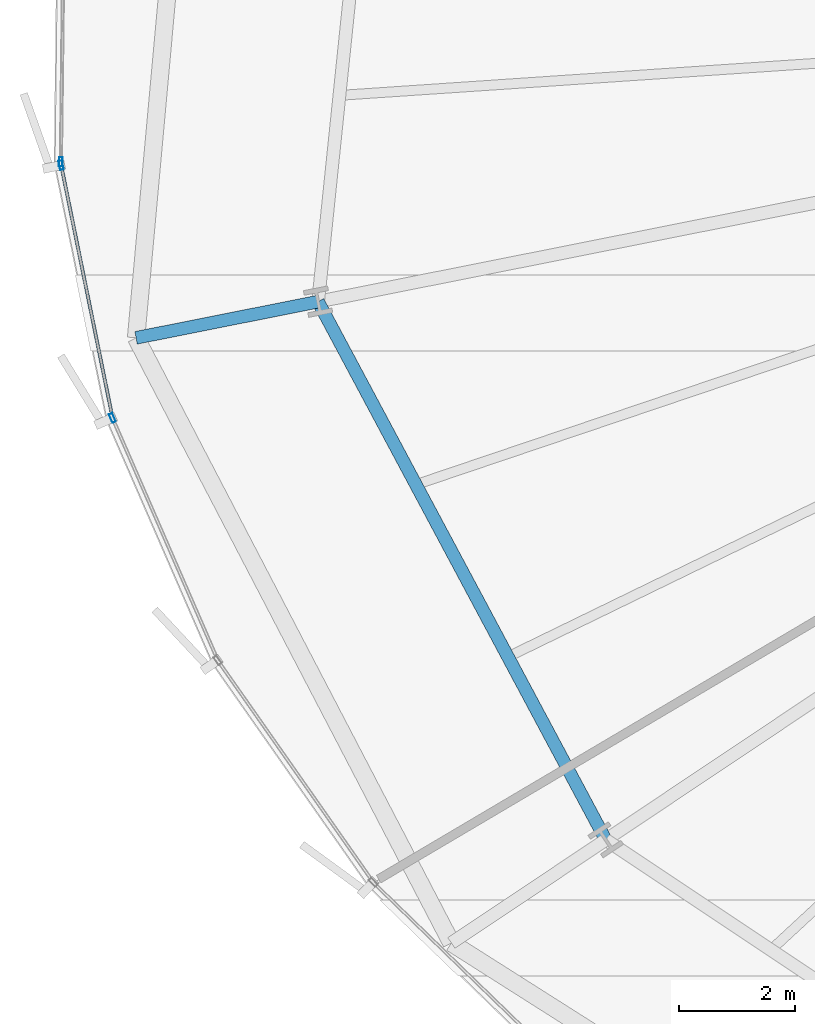
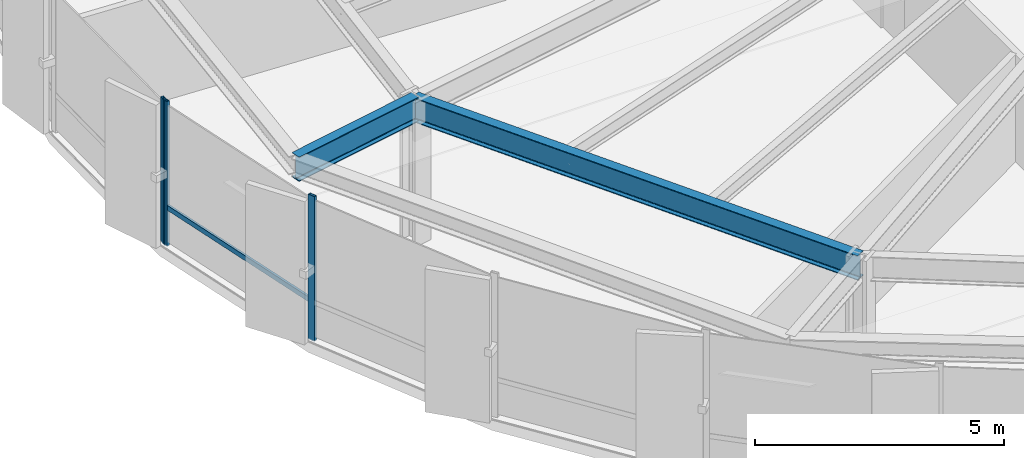
# One storey, part 7 of 38: 4 members, 2 beams, 2 elements without a shape of their own.
"""IFC4 building model written with IfcOpenShell, lengths in metres."""

from ifc_helpers import new_model, si_unit, direction, frame, origin, origin_2d, place, context, subcontext, project, spatial, hollow_rectangle, i_section, extrude, source, transform, mapped, material, layer, layer_set, material_profile, profile_set, type_object, element, aggregate, save


model = new_model("IFC4")

# Units and contexts
model_context = context("Model", 3, precision=1e-05, world=origin(), true_north=direction((0.0, 1.0)))
body_context = subcontext(model_context, "Body", "Model", "MODEL_VIEW")
ifc_project = project(units=[si_unit("LENGTHUNIT", "METRE"), si_unit("AREAUNIT", "SQUARE_METRE"), si_unit("VOLUMEUNIT", "CUBIC_METRE"), si_unit("PLANEANGLEUNIT", "RADIAN"), si_unit("MASSUNIT", "GRAM", prefix="KILO"), si_unit("THERMODYNAMICTEMPERATUREUNIT", "KELVIN")], contexts=[model_context])

# Site, building, storey
site_placement = place(None, origin())
site = spatial("IfcSite", under=ifc_project, at=site_placement, CompositionType="ELEMENT")
building_placement = place(site_placement, origin())
building = spatial("IfcBuilding", under=site, at=building_placement, Name="Kethvar Cultural Tower", CompositionType="ELEMENT")
storey_placement = place(building_placement, frame((0.0, 0.0, 52.39990234375)))
storey = spatial("IfcBuildingStorey", under=building, at=storey_placement, Name="L12", CompositionType="ELEMENT", Elevation=52.39990234375)

# Beams
ifc_material_1 = material(Name="Steel S355J2", Category="steel")
ifc_material_profile_1 = material_profile(ifc_material_1, i_section(OverallWidth=0.219970703125, OverallDepth=0.60009765625, WebThickness=0.011962890625, FlangeThickness=0.01904296875, FilletRadius=0.02392578125, at=origin_2d()), Name="Steel S355J2 — IPE600")
ifc_profile_set_1 = profile_set([ifc_material_profile_1], Name="Steel S355J2 — IPE600")
beam_type = type_object("IfcBeamType", Name="BM-IPE600", PredefinedType="BEAM", material=ifc_profile_set_1)
shared_shape_1 = source(origin(), body_context, "Body", "SweptSolid", [
    extrude(i_section(OverallWidth=0.219970703125, OverallDepth=0.60009765625, WebThickness=0.011962890625, FlangeThickness=0.01904296875, FilletRadius=0.02392578125, at=origin_2d()), origin(), (0.0, 0.0, 1.0), 3.199951171875),
])
beam_1_placement = place(storey_placement, frame((19.9658203125, 22.46240234375, 3.248046875), z_axis=(-0.980785550224, -0.195088965533, 0.0), x_axis=(0.195088965533, -0.980785550224, 0.0)))
element("IfcBeam", 1, at=beam_1_placement, inside=storey, type_object=beam_type, Name="L12 Perimeter Cantilever Beam RC-09", PredefinedType="BEAM", context=body_context, shape_type="MappedRepresentation", body=[
    mapped(shared_shape_1, transform((0.0, 0.0, 0.0), scale=1.0)),
])
shared_shape_2 = source(origin(), body_context, "Body", "SweptSolid", [
    extrude(i_section(OverallWidth=0.219970703125, OverallDepth=0.60009765625, WebThickness=0.011962890625, FlangeThickness=0.01904296875, FilletRadius=0.02392578125, at=origin_2d()), origin(), (0.0, 0.0, 1.0), 10.52099609375),
])
beam_2_placement = place(storey_placement, frame((19.9658203125, 22.46240234375, 3.248046875), z_axis=(0.471339616984, -0.881951793162, 0.0), x_axis=(0.881951793162, 0.471339616984, 0.0)))
element("IfcBeam", 2, at=beam_2_placement, inside=storey, type_object=beam_type, Name="L12 Column Ring Tie Beam CR-09", PredefinedType="BEAM", context=body_context, shape_type="MappedRepresentation", body=[
    mapped(shared_shape_2, transform((0.0, 0.0, 0.0), scale=1.0)),
])

# Curtain wall, member
ifc_material_2 = material(Name="Aluminium 6063-T6", Category="aluminium")
ifc_layer = layer(ifc_material_2, 0.179931640625, Name="Aluminium 6063-T6", Category="aluminium")
ifc_layer_set = layer_set([ifc_layer], Name="Aluminium 6063-T6 (180 mm)")
curtain_wall_type = type_object("IfcCurtainWallType", Name="CW-SYS-02-Z1", PredefinedType="NOTDEFINED", material=ifc_layer_set)
curtain_wall_1_placement = place(storey_placement, origin())
curtain_wall_1 = element("IfcCurtainWall", 3, at=curtain_wall_1_placement, inside=storey, type_object=curtain_wall_type, Name="L12 Curtain Wall Run 03", PredefinedType="NOTDEFINED")
ifc_material_profile_2 = material_profile(ifc_material_2, hollow_rectangle(XDim=0.06494140625, YDim=0.159912109375, WallThickness=0.0048828125, at=origin_2d()), Name="Aluminium 6063-T6 — RHS160x65x5")
ifc_profile_set_2 = profile_set([ifc_material_profile_2], Name="Aluminium 6063-T6 — RHS160x65x5")
member_type_1 = type_object("IfcMemberType", Name="CW-SYS-02-Z1-MUL", PredefinedType="MULLION", material=ifc_profile_set_2)
shared_shape_3 = source(origin(), body_context, "Body", "SweptSolid", [
    extrude(hollow_rectangle(XDim=0.06494140625, YDim=0.159912109375, WallThickness=0.0048828125, at=origin_2d()), origin(), (0.0, 0.0, 1.0), 3.550048828125),
])
member_1_placement = place(storey_placement, frame((15.530517578125, 24.87353515625, 0.0), z_axis=(0.0, 0.0, 1.0), x_axis=(0.999927065729, -0.012077384797, 0.0)))
member_1 = element("IfcMember", 4, at=member_1_placement, type_object=member_type_1, Name="CW-L12-R03 Mullion 7", PredefinedType="MULLION", context=body_context, shape_type="MappedRepresentation", body=[
    mapped(shared_shape_3, transform((0.0, 0.0, 0.0), scale=1.0)),
])
aggregate(curtain_wall_1, [member_1])

# Curtain wall, members
curtain_wall_2_placement = place(storey_placement, origin())
curtain_wall_2 = element("IfcCurtainWall", 5, at=curtain_wall_2_placement, inside=storey, type_object=curtain_wall_type, Name="L12 Curtain Wall Run 04", PredefinedType="NOTDEFINED")
member_2_placement = place(storey_placement, frame((15.5361328125, 24.815185546875, 0.0), z_axis=(0.0, 0.0, 1.0), x_axis=(0.979952532084, 0.199231109174, 0.0)))
member_2 = element("IfcMember", 6, at=member_2_placement, type_object=member_type_1, Name="CW-L12-R04 Mullion 1", PredefinedType="MULLION", context=body_context, shape_type="MappedRepresentation", body=[
    mapped(shared_shape_3, transform((0.0, 0.0, 0.0), scale=1.0)),
])
member_3_placement = place(storey_placement, frame((16.41943359375, 20.457275390625, 0.0), z_axis=(0.0, 0.0, 1.0), x_axis=(0.917060074385, 0.398749068925, 0.0)))
member_3 = element("IfcMember", 7, at=member_3_placement, type_object=member_type_1, Name="CW-L12-R04 Mullion 2", PredefinedType="MULLION", context=body_context, shape_type="MappedRepresentation", body=[
    mapped(shared_shape_3, transform((0.0, 0.0, 0.0), scale=1.0)),
])
ifc_material_profile_3 = material_profile(ifc_material_2, hollow_rectangle(XDim=0.054931640625, YDim=0.1201171875, WallThickness=0.00390625, at=origin_2d()), Name="Aluminium 6063-T6 — RHS120x55x4")
ifc_profile_set_3 = profile_set([ifc_material_profile_3], Name="Aluminium 6063-T6 — RHS120x55x4")
member_type_2 = type_object("IfcMemberType", Name="CW-SYS-02-Z1-TRN", PredefinedType="USERDEFINED", material=ifc_profile_set_3)
shared_shape_4 = source(origin(), body_context, "Body", "SweptSolid", [
    extrude(hollow_rectangle(XDim=0.054931640625, YDim=0.1201171875, WallThickness=0.00390625, at=origin_2d()), origin(), (0.0, 0.0, 1.0), 4.420166015625),
])
member_4_placement = place(storey_placement, frame((15.537109375, 24.810791015625, 0.9501953125), z_axis=(0.199227344382, -0.979953297484, 0.0), x_axis=(0.979953297484, 0.199227344382, 0.0)))
member_4 = element("IfcMember", 8, at=member_4_placement, type_object=member_type_2, Name="CW-L12-R04 Transom 1", ObjectType="TRANSOM", PredefinedType="USERDEFINED", context=body_context, shape_type="MappedRepresentation", body=[
    mapped(shared_shape_4, transform((0.0, 0.0, 0.0), scale=1.0)),
])
aggregate(curtain_wall_2, [member_2, member_3, member_4])

save(model, "model.ifc")
